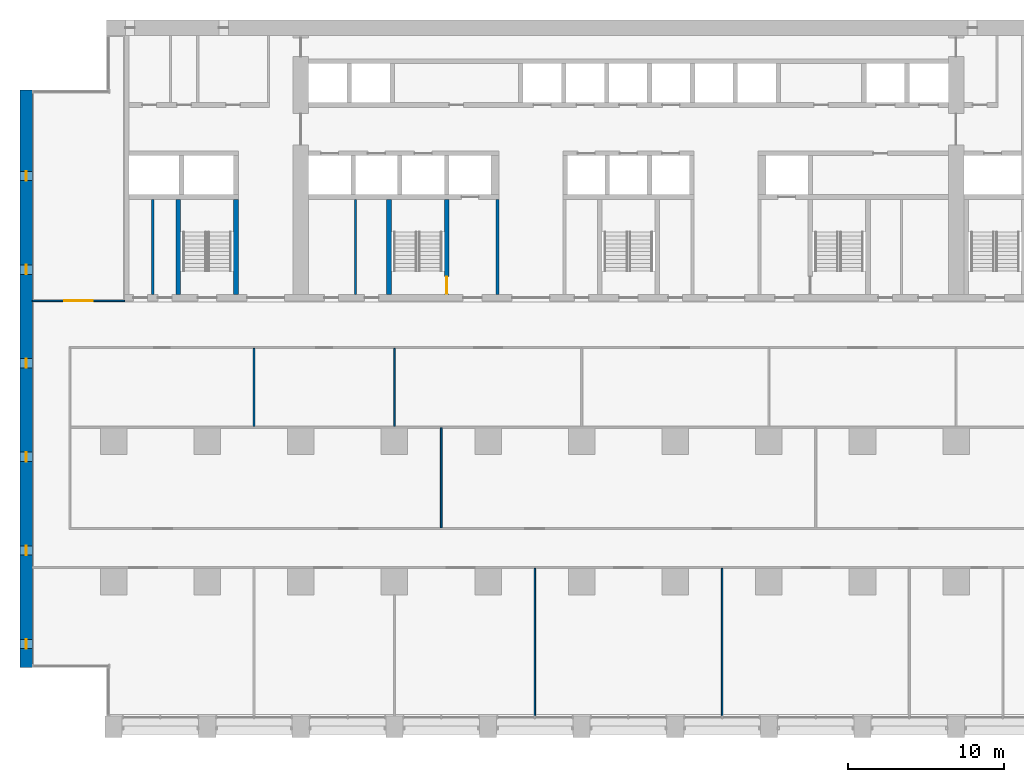
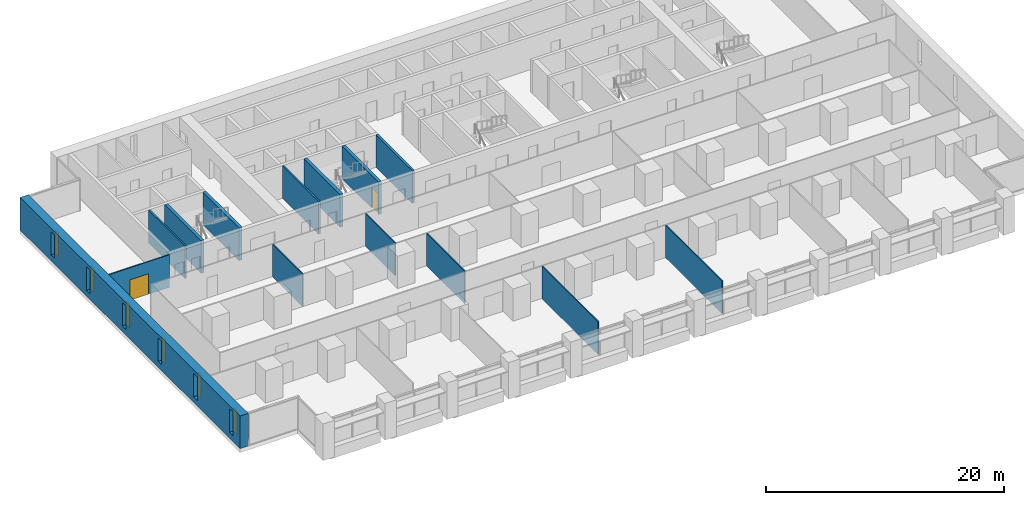
# One storey, part 8 of 18: 14 walls, 6 windows, 2 doors, 8 openings.
"""IFC4 building model written with IfcOpenShell, lengths in metres."""

from ifc_helpers import new_model, si_unit, direction, frame, frame_2d, origin, place, context, subcontext, project, spatial, rectangle, extrude, material, layer, layer_set, type_object, element, fill, save


model = new_model("IFC4")

# Units and contexts
model_context = context("Model", 3, precision=1e-05, world=origin(), true_north=direction((0.0, 1.0)))
body_context = subcontext(model_context, "Body", "Model", "MODEL_VIEW")
ifc_project = project(units=[si_unit("LENGTHUNIT", "METRE"), si_unit("AREAUNIT", "SQUARE_METRE"), si_unit("VOLUMEUNIT", "CUBIC_METRE"), si_unit("PLANEANGLEUNIT", "RADIAN"), si_unit("MASSUNIT", "GRAM", prefix="KILO")], contexts=[model_context])

# Site, building, storey
site_placement = place(None, origin())
site = spatial("IfcSite", under=ifc_project, at=site_placement, CompositionType="ELEMENT")
building_placement = place(site_placement, origin())
building = spatial("IfcBuilding", under=site, at=building_placement, Name="Calvaro Tower", CompositionType="ELEMENT")
storey_placement = place(building_placement, frame((0.0, 0.0, 48.75)))
storey = spatial("IfcBuildingStorey", under=building, at=storey_placement, Name="L11", CompositionType="ELEMENT", Elevation=48.75)

# Walls
ifc_material_1 = material(Name="Blockwork partition", Category="masonry")
ifc_layer_1 = layer(ifc_material_1, 0.14990234375)
ifc_layer_set_1 = layer_set([ifc_layer_1], Name="Blockwork partition")
wall_type_1 = type_object("IfcWallType", Name="Core partition 150 EI 60", PredefinedType="PARTITIONING", material=ifc_layer_set_1)
wall_1_placement = place(storey_placement, frame((8.5, 28.39990234375, 0.0), z_axis=(0.0, 0.0, 1.0), x_axis=(0.0, 1.0, 0.0)))
element("IfcWall", 1, at=wall_1_placement, inside=storey, type_object=wall_type_1, Name="Core partition", PredefinedType="PARTITIONING", context=body_context, shape_type="SweptSolid", body=[
    extrude(rectangle(XDim=6.10009765625, YDim=0.14990234375, at=frame_2d((3.050048828125, 0.0))), origin(), (0.0, 0.0, 1.0), 3.35009765625),
])
ifc_material_2 = material(Name="Blockwork partition", Category="masonry")
ifc_layer_2 = layer(ifc_material_2, 0.14990234375)
ifc_layer_set_2 = layer_set([ifc_layer_2], Name="Blockwork partition")
wall_type_2 = type_object("IfcWallType", Name="Core partition 150 REI 120", PredefinedType="PARTITIONING", material=ifc_layer_set_2)
wall_2_placement = place(storey_placement, frame((21.5, 28.39990234375, 0.0), z_axis=(0.0, 0.0, 1.0), x_axis=(0.0, 1.0, 0.0)))
element("IfcWall", 2, at=wall_2_placement, inside=storey, type_object=wall_type_2, Name="Core partition", PredefinedType="PARTITIONING", context=body_context, shape_type="SweptSolid", body=[
    extrude(rectangle(XDim=6.10009765625, YDim=0.14990234375, at=frame_2d((3.050048828125, 0.0))), origin(), (0.0, 0.0, 1.0), 3.35009765625),
])
ifc_material_3 = material(Name="Blockwork partition", Category="masonry")
ifc_layer_3 = layer(ifc_material_3, 0.199951171875)
ifc_layer_set_3 = layer_set([ifc_layer_3], Name="Blockwork partition")
wall_type_3 = type_object("IfcWallType", Name="Core partition 200 REI 120", PredefinedType="PARTITIONING", material=ifc_layer_set_3)
wall_3_placement = place(storey_placement, frame((30.60009765625, 28.39990234375, 0.0), z_axis=(0.0, 0.0, 1.0), x_axis=(0.0, 1.0, 0.0)))
element("IfcWall", 3, at=wall_3_placement, inside=storey, type_object=wall_type_3, Name="Core partition", PredefinedType="PARTITIONING", context=body_context, shape_type="SweptSolid", body=[
    extrude(rectangle(XDim=6.10009765625, YDim=0.199951171875, at=frame_2d((3.050048828125, 0.0))), origin(), (0.0, 0.0, 1.0), 3.35009765625),
])
ifc_material_4 = material(Name="Concrete C80/95", Category="concrete")
ifc_layer_4 = layer(ifc_material_4, 0.300048828125)
ifc_layer_set_4 = layer_set([ifc_layer_4], Name="Concrete C80/95")
wall_type_4 = type_object("IfcWallType", Name="Core wall C80/95 300", PredefinedType="SHEAR", material=ifc_layer_set_4)
for number, where, z_axis, x_axis, name in (
    (4, (10.14990234375, 28.39990234375, 0.0), (0.0, 0.0, 1.0), (0.0, 1.0, 0.0), "Core wall, stair enclosure"),
    (5, (13.85009765625, 28.39990234375, 0.0), (0.0, 0.0, 1.0), (0.0, 1.0, 0.0), "Core wall, stair enclosure"),
    (6, (23.64990234375, 28.39990234375, 0.0), (0.0, 0.0, 1.0), (0.0, 1.0, 0.0), "Core wall, stair enclosure"),
):
    element("IfcWall", number, at=place(storey_placement, frame(where, z_axis=z_axis, x_axis=x_axis)), inside=storey, type_object=wall_type_4, Name=name, PredefinedType="SHEAR", context=body_context, shape_type="SweptSolid", body=[
        extrude(rectangle(XDim=6.10009765625, YDim=0.300048828125, at=frame_2d((3.050048828125, 0.0))), origin(), (0.0, 0.0, 1.0), 3.35009765625),
    ])

# Wall, opening, door
wall_4_placement = place(storey_placement, frame((27.35009765625, 28.39990234375, 0.0), z_axis=(0.0, 0.0, 1.0), x_axis=(0.0, 1.0, 0.0)))
wall_4 = element("IfcWall", 7, at=wall_4_placement, inside=storey, type_object=wall_type_4, Name="Core wall, stair enclosure", PredefinedType="SHEAR", context=body_context, shape_type="SweptSolid", body=[
    extrude(rectangle(XDim=6.10009765625, YDim=0.300048828125, at=frame_2d((3.050048828125, 0.0))), origin(), (0.0, 0.0, 1.0), 3.35009765625),
])
opening_1_placement = place(wall_4_placement, frame((0.050048828125, 0.0, 0.0)))
opening_1 = element("IfcOpeningElement", 8, at=opening_1_placement, cuts=wall_4, Name="Opening FD11D", PredefinedType="OPENING", context=body_context, shape_type="SweptSolid", body=[
    extrude(rectangle(XDim=1.10009765625, YDim=2.10009765625, at=frame_2d((0.550048828125, 1.050048828125))), frame((0.0, 0.159912109375, 0.0), z_axis=(0.0, -1.0, 0.0), x_axis=(1.0, 0.0, 0.0)), (0.0, 0.0, 1.0), 0.320068359375),
])
ifc_material_5 = material(Name="Steel door set", Category="steel")
door_type_1 = type_object("IfcDoorType", Name="Fire door 1100 FD30S", OperationType="SINGLE_SWING_LEFT", PredefinedType="DOOR", material=ifc_material_5)
door_1_placement = place(opening_1_placement, origin())
door_1 = element("IfcDoor", 9, at=door_1_placement, inside=storey, type_object=door_type_1, Name="Fire door", OperationType="SINGLE_SWING_LEFT", OverallHeight=2.10009765625, OverallWidth=1.10009765625, PredefinedType="DOOR", context=body_context, shape_type="SweptSolid", body=[
    extrude(rectangle(XDim=1.10009765625, YDim=2.10009765625, at=frame_2d((0.550048828125, 1.050048828125))), frame((0.0, 0.02490234375, 0.0), z_axis=(0.0, -1.0, 0.0), x_axis=(1.0, 0.0, 0.0)), (0.0, 0.0, 1.0), 0.050048828125),
])
fill(opening_1, door_1)

# Wall, openings, windows
ifc_material_6 = material(Name="Concrete C80/95", Category="concrete")
ifc_layer_5 = layer(ifc_material_6, 0.800048828125)
ifc_layer_set_5 = layer_set([ifc_layer_5], Name="Concrete C80/95")
wall_type_5 = type_object("IfcWallType", Name="End wall 800 C80/95", PredefinedType="SHEAR", material=ifc_layer_set_5)
wall_5_placement = place(storey_placement, frame((0.39990234375, 4.5, 0.0), z_axis=(0.0, 0.0, 1.0), x_axis=(0.0, 1.0, 0.0)))
wall_5 = element("IfcWall", 10, at=wall_5_placement, inside=storey, type_object=wall_type_5, Name="End shear wall", PredefinedType="SHEAR", context=body_context, shape_type="SweptSolid", body=[
    extrude(rectangle(XDim=37.0, YDim=0.800048828125, at=frame_2d((18.5, 0.0))), origin(), (0.0, 0.0, 1.0), 3.35009765625),
])
opening_2_placement = place(wall_5_placement, frame((1.199951171875, 0.0, 0.60009765625)))
opening_2 = element("IfcOpeningElement", 11, at=opening_2_placement, cuts=wall_5, Name="Opening WW01", PredefinedType="OPENING", context=body_context, shape_type="SweptSolid", body=[
    extrude(rectangle(XDim=0.60009765625, YDim=2.39990234375, at=frame_2d((0.300048828125, 1.199951171875))), frame((0.0, 0.409912109375, 0.0), z_axis=(0.0, -1.0, 0.0), x_axis=(1.0, 0.0, 0.0)), (0.0, 0.0, 1.0), 0.820068359375),
])
opening_3_placement = place(wall_5_placement, frame((7.199951171875, 0.0, 0.60009765625)))
opening_3 = element("IfcOpeningElement", 12, at=opening_3_placement, cuts=wall_5, Name="Opening WW02", PredefinedType="OPENING", context=body_context, shape_type="SweptSolid", body=[
    extrude(rectangle(XDim=0.60009765625, YDim=2.39990234375, at=frame_2d((0.300048828125, 1.199951171875))), frame((0.0, 0.409912109375, 0.0), z_axis=(0.0, -1.0, 0.0), x_axis=(1.0, 0.0, 0.0)), (0.0, 0.0, 1.0), 0.820068359375),
])
opening_4_placement = place(wall_5_placement, frame((13.199951171875, 0.0, 0.60009765625)))
opening_4 = element("IfcOpeningElement", 13, at=opening_4_placement, cuts=wall_5, Name="Opening WW03", PredefinedType="OPENING", context=body_context, shape_type="SweptSolid", body=[
    extrude(rectangle(XDim=0.60009765625, YDim=2.39990234375, at=frame_2d((0.300048828125, 1.199951171875))), frame((0.0, 0.409912109375, 0.0), z_axis=(0.0, -1.0, 0.0), x_axis=(1.0, 0.0, 0.0)), (0.0, 0.0, 1.0), 0.820068359375),
])
opening_5_placement = place(wall_5_placement, frame((19.199951171875, 0.0, 0.60009765625)))
opening_5 = element("IfcOpeningElement", 14, at=opening_5_placement, cuts=wall_5, Name="Opening WW04", PredefinedType="OPENING", context=body_context, shape_type="SweptSolid", body=[
    extrude(rectangle(XDim=0.60009765625, YDim=2.39990234375, at=frame_2d((0.300048828125, 1.199951171875))), frame((0.0, 0.409912109375, 0.0), z_axis=(0.0, -1.0, 0.0), x_axis=(1.0, 0.0, 0.0)), (0.0, 0.0, 1.0), 0.820068359375),
])
opening_6_placement = place(wall_5_placement, frame((25.199951171875, 0.0, 0.60009765625)))
opening_6 = element("IfcOpeningElement", 15, at=opening_6_placement, cuts=wall_5, Name="Opening WW05", PredefinedType="OPENING", context=body_context, shape_type="SweptSolid", body=[
    extrude(rectangle(XDim=0.60009765625, YDim=2.39990234375, at=frame_2d((0.300048828125, 1.199951171875))), frame((0.0, 0.409912109375, 0.0), z_axis=(0.0, -1.0, 0.0), x_axis=(1.0, 0.0, 0.0)), (0.0, 0.0, 1.0), 0.820068359375),
])
opening_7_placement = place(wall_5_placement, frame((31.199951171875, 0.0, 0.60009765625)))
opening_7 = element("IfcOpeningElement", 16, at=opening_7_placement, cuts=wall_5, Name="Opening WW06", PredefinedType="OPENING", context=body_context, shape_type="SweptSolid", body=[
    extrude(rectangle(XDim=0.60009765625, YDim=2.39990234375, at=frame_2d((0.300048828125, 1.199951171875))), frame((0.0, 0.409912109375, 0.0), z_axis=(0.0, -1.0, 0.0), x_axis=(1.0, 0.0, 0.0)), (0.0, 0.0, 1.0), 0.820068359375),
])
ifc_material_7 = material(Name="Glass", Category="glass")
window_type = type_object("IfcWindowType", Name="Slit window 600 x 2400", PartitioningType="SINGLE_PANEL", PredefinedType="WINDOW", material=ifc_material_7)
window_1_placement = place(opening_2_placement, origin())
window_1 = element("IfcWindow", 17, at=window_1_placement, inside=storey, type_object=window_type, Name="Window WW01", OverallHeight=2.39990234375, OverallWidth=0.60009765625, PartitioningType="SINGLE_PANEL", PredefinedType="WINDOW", context=body_context, shape_type="SweptSolid", body=[
    extrude(rectangle(XDim=0.60009765625, YDim=2.39990234375, at=frame_2d((0.300048828125, 1.199951171875))), frame((0.0, 0.030029296875, 0.0), z_axis=(0.0, -1.0, 0.0), x_axis=(1.0, 0.0, 0.0)), (0.0, 0.0, 1.0), 0.06005859375),
])
fill(opening_2, window_1)
window_2_placement = place(opening_3_placement, origin())
window_2 = element("IfcWindow", 18, at=window_2_placement, inside=storey, type_object=window_type, Name="Window WW02", OverallHeight=2.39990234375, OverallWidth=0.60009765625, PartitioningType="SINGLE_PANEL", PredefinedType="WINDOW", context=body_context, shape_type="SweptSolid", body=[
    extrude(rectangle(XDim=0.60009765625, YDim=2.39990234375, at=frame_2d((0.300048828125, 1.199951171875))), frame((0.0, 0.030029296875, 0.0), z_axis=(0.0, -1.0, 0.0), x_axis=(1.0, 0.0, 0.0)), (0.0, 0.0, 1.0), 0.06005859375),
])
fill(opening_3, window_2)
window_3_placement = place(opening_4_placement, origin())
window_3 = element("IfcWindow", 19, at=window_3_placement, inside=storey, type_object=window_type, Name="Window WW03", OverallHeight=2.39990234375, OverallWidth=0.60009765625, PartitioningType="SINGLE_PANEL", PredefinedType="WINDOW", context=body_context, shape_type="SweptSolid", body=[
    extrude(rectangle(XDim=0.60009765625, YDim=2.39990234375, at=frame_2d((0.300048828125, 1.199951171875))), frame((0.0, 0.030029296875, 0.0), z_axis=(0.0, -1.0, 0.0), x_axis=(1.0, 0.0, 0.0)), (0.0, 0.0, 1.0), 0.06005859375),
])
fill(opening_4, window_3)
window_4_placement = place(opening_5_placement, origin())
window_4 = element("IfcWindow", 20, at=window_4_placement, inside=storey, type_object=window_type, Name="Window WW04", OverallHeight=2.39990234375, OverallWidth=0.60009765625, PartitioningType="SINGLE_PANEL", PredefinedType="WINDOW", context=body_context, shape_type="SweptSolid", body=[
    extrude(rectangle(XDim=0.60009765625, YDim=2.39990234375, at=frame_2d((0.300048828125, 1.199951171875))), frame((0.0, 0.030029296875, 0.0), z_axis=(0.0, -1.0, 0.0), x_axis=(1.0, 0.0, 0.0)), (0.0, 0.0, 1.0), 0.06005859375),
])
fill(opening_5, window_4)
window_5_placement = place(opening_6_placement, origin())
window_5 = element("IfcWindow", 21, at=window_5_placement, inside=storey, type_object=window_type, Name="Window WW05", OverallHeight=2.39990234375, OverallWidth=0.60009765625, PartitioningType="SINGLE_PANEL", PredefinedType="WINDOW", context=body_context, shape_type="SweptSolid", body=[
    extrude(rectangle(XDim=0.60009765625, YDim=2.39990234375, at=frame_2d((0.300048828125, 1.199951171875))), frame((0.0, 0.030029296875, 0.0), z_axis=(0.0, -1.0, 0.0), x_axis=(1.0, 0.0, 0.0)), (0.0, 0.0, 1.0), 0.06005859375),
])
fill(opening_6, window_5)
window_6_placement = place(opening_7_placement, origin())
window_6 = element("IfcWindow", 22, at=window_6_placement, inside=storey, type_object=window_type, Name="Window WW06", OverallHeight=2.39990234375, OverallWidth=0.60009765625, PartitioningType="SINGLE_PANEL", PredefinedType="WINDOW", context=body_context, shape_type="SweptSolid", body=[
    extrude(rectangle(XDim=0.60009765625, YDim=2.39990234375, at=frame_2d((0.300048828125, 1.199951171875))), frame((0.0, 0.030029296875, 0.0), z_axis=(0.0, -1.0, 0.0), x_axis=(1.0, 0.0, 0.0)), (0.0, 0.0, 1.0), 0.06005859375),
])
fill(opening_7, window_6)

# Wall, opening, door
ifc_material_8 = material(Name="Plasterboard on steel studs", Category="steel")
ifc_layer_6 = layer(ifc_material_8, 0.10009765625)
ifc_layer_set_6 = layer_set([ifc_layer_6], Name="Plasterboard on steel studs")
wall_type_6 = type_object("IfcWallType", Name="Partition 100", PredefinedType="PARTITIONING", material=ifc_layer_set_6)
wall_6_placement = place(storey_placement, frame((0.800048828125, 28.0, 0.0), z_axis=(0.0, 0.0, 1.0), x_axis=(1.0, 0.0, 0.0)))
wall_6 = element("IfcWall", 23, at=wall_6_placement, inside=storey, type_object=wall_type_6, Name="Partition T10.W005", PredefinedType="PARTITIONING", context=body_context, shape_type="SweptSolid", body=[
    extrude(rectangle(XDim=5.89990234375, YDim=0.10009765625, at=frame_2d((2.949951171875, 0.0))), origin(), (0.0, 0.0, 1.0), 3.35009765625),
])
opening_8_placement = place(wall_6_placement, frame((2.050048828125, 0.0, 0.0)))
opening_8 = element("IfcOpeningElement", 24, at=opening_8_placement, cuts=wall_6, Name="Opening T10.022", PredefinedType="OPENING", context=body_context, shape_type="SweptSolid", body=[
    extrude(rectangle(XDim=1.800048828125, YDim=2.10009765625, at=frame_2d((0.89990234375, 1.050048828125))), frame((0.0, 0.06005859375, 0.0), z_axis=(0.0, -1.0, 0.0), x_axis=(1.0, 0.0, 0.0)), (0.0, 0.0, 1.0), 0.1201171875),
])
ifc_material_9 = material(Name="Timber", Category="wood")
door_type_2 = type_object("IfcDoorType", Name="Internal double door 1800 x 2100", OperationType="DOUBLE_DOOR_SINGLE_SWING", PredefinedType="DOOR", material=ifc_material_9)
door_2_placement = place(opening_8_placement, origin())
door_2 = element("IfcDoor", 25, at=door_2_placement, inside=storey, type_object=door_type_2, Name="Door T10.022", OperationType="DOUBLE_DOOR_SINGLE_SWING", OverallHeight=2.10009765625, OverallWidth=1.800048828125, PredefinedType="DOOR", context=body_context, shape_type="SweptSolid", body=[
    extrude(rectangle(XDim=1.800048828125, YDim=2.10009765625, at=frame_2d((0.89990234375, 1.050048828125))), frame((0.0, 0.02490234375, 0.0), z_axis=(0.0, -1.0, 0.0), x_axis=(1.0, 0.0, 0.0)), (0.0, 0.0, 1.0), 0.050048828125),
])
fill(opening_8, door_2)

# Walls
wall_7_placement = place(storey_placement, frame((24.0, 19.949951171875, 0.0), z_axis=(0.0, 0.0, 1.0), x_axis=(0.0, 1.0, 0.0)))
element("IfcWall", 26, at=wall_7_placement, inside=storey, type_object=wall_type_6, Name="Partition T10.W011", PredefinedType="PARTITIONING", context=body_context, shape_type="SweptSolid", body=[
    extrude(rectangle(XDim=5.0, YDim=0.10009765625, at=frame_2d((2.5, 0.0))), origin(), (0.0, 0.0, 1.0), 3.35009765625),
])
wall_8_placement = place(storey_placement, frame((27.0, 13.449951171875, 0.0), z_axis=(0.0, 0.0, 1.0), x_axis=(0.0, 1.0, 0.0)))
element("IfcWall", 27, at=wall_8_placement, inside=storey, type_object=wall_type_6, Name="Partition T10.W012", PredefinedType="PARTITIONING", context=body_context, shape_type="SweptSolid", body=[
    extrude(rectangle(XDim=6.400146484375, YDim=0.10009765625, at=frame_2d((3.2001953125, 0.0))), origin(), (0.0, 0.0, 1.0), 3.35009765625),
])
for number, where, z_axis, x_axis, name in (
    (28, (33.0, 1.39990234375, 0.0), (0.0, 0.0, 1.0), (0.0, 1.0, 0.0), "Partition T10.W013"),
    (29, (45.0, 1.39990234375, 0.0), (0.0, 0.0, 1.0), (0.0, 1.0, 0.0), "Partition T10.W015"),
):
    element("IfcWall", number, at=place(storey_placement, frame(where, z_axis=z_axis, x_axis=x_axis)), inside=storey, type_object=wall_type_6, Name=name, PredefinedType="PARTITIONING", context=body_context, shape_type="SweptSolid", body=[
        extrude(rectangle(XDim=9.4501953125, YDim=0.10009765625, at=frame_2d((4.72509765625, 0.0))), origin(), (0.0, 0.0, 1.0), 3.35009765625),
    ])
ifc_material_10 = material(Name="Plasterboard on steel studs", Category="steel")
ifc_layer_7 = layer(ifc_material_10, 0.10009765625)
ifc_layer_set_7 = layer_set([ifc_layer_7], Name="Plasterboard on steel studs")
wall_type_7 = type_object("IfcWallType", Name="Partition 100 REI 120", PredefinedType="PARTITIONING", material=ifc_layer_set_7)
wall_9_placement = place(storey_placement, frame((15.0, 19.949951171875, 0.0), z_axis=(0.0, 0.0, 1.0), x_axis=(0.0, 1.0, 0.0)))
element("IfcWall", 30, at=wall_9_placement, inside=storey, type_object=wall_type_7, Name="Partition T10.W009", PredefinedType="PARTITIONING", context=body_context, shape_type="SweptSolid", body=[
    extrude(rectangle(XDim=5.0, YDim=0.10009765625, at=frame_2d((2.5, 0.0))), origin(), (0.0, 0.0, 1.0), 3.35009765625),
])

save(model, "model.ifc")
